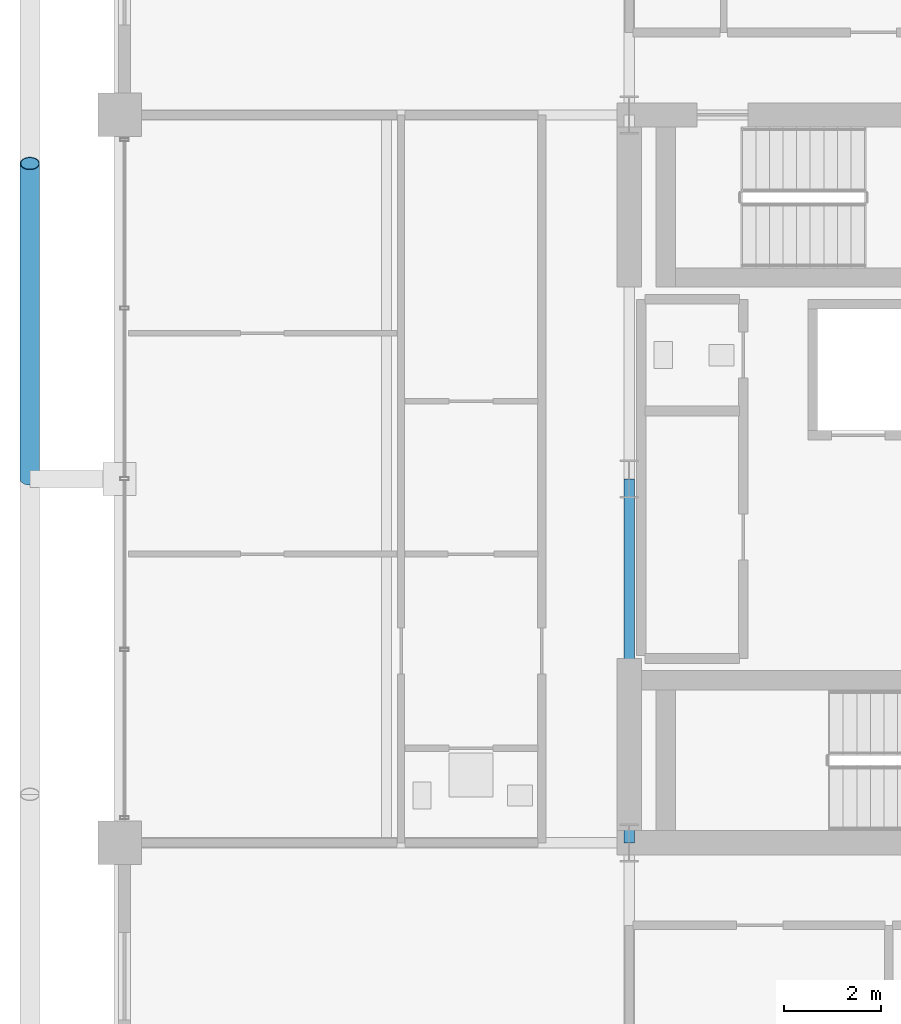
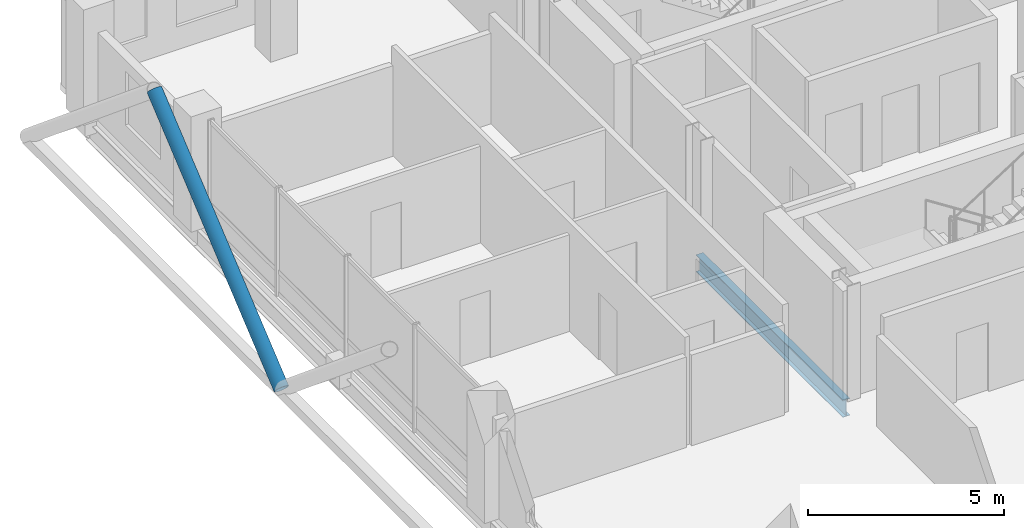
# One storey, part 9 of 24: 1 beam, 1 member.
"""IFC4 building model written with IfcOpenShell, lengths in metres."""

from ifc_helpers import new_model, si_unit, direction, frame, origin, origin_2d, place, context, subcontext, project, spatial, hollow_circle, i_section, extrude, material, material_profile, profile_set, type_object, element, save


model = new_model("IFC4")

# Units and contexts
model_context = context("Model", 3, precision=1e-05, world=origin(), true_north=direction((0.0, 1.0)))
body_context = subcontext(model_context, "Body", "Model", "MODEL_VIEW")
ifc_project = project(units=[si_unit("LENGTHUNIT", "METRE"), si_unit("AREAUNIT", "SQUARE_METRE"), si_unit("VOLUMEUNIT", "CUBIC_METRE"), si_unit("PLANEANGLEUNIT", "RADIAN"), si_unit("MASSUNIT", "GRAM", prefix="KILO")], contexts=[model_context])

# Site, building, storey
site_placement = place(None, origin())
site = spatial("IfcSite", under=ifc_project, at=site_placement, CompositionType="ELEMENT")
building_placement = place(site_placement, origin())
building = spatial("IfcBuilding", under=site, at=building_placement, Name="Barlavira Tower and Art Museum", CompositionType="ELEMENT")
storey_placement = place(building_placement, frame((0.0, 0.0, 251.10009765625)))
storey = spatial("IfcBuildingStorey", under=building, at=storey_placement, Name="L65", CompositionType="ELEMENT", Elevation=251.10009765625)

# Member
ifc_material = material(Name="Steel S355", Category="steel")
ifc_material_profile_1 = material_profile(ifc_material, hollow_circle(Radius=0.203125, WallThickness=0.01611328125, at=origin_2d()), Name="CHS 406.4x16.0")
ifc_profile_set_1 = profile_set([ifc_material_profile_1], Name="Steel S355")
member_type = type_object("IfcMemberType", Name="Pale-Metal Exoskeleton Diagrid Tube CHS 406x16 Steel S355", PredefinedType="BRACE", material=ifc_profile_set_1)
member_placement = place(storey_placement, frame((-18.85009765625, 0.0, -0.1201171875), z_axis=(0.0, 0.769196053329, 0.639012857104), x_axis=(-1.0, 0.0, 0.0)))
element("IfcMember", 1, at=member_placement, inside=storey, type_object=member_type, Name="L65 Exoskeleton Diagrid Tube W", PredefinedType="BRACE", context=body_context, shape_type="SweptSolid", body=[
    extrude(hollow_circle(Radius=0.203125, WallThickness=0.01611328125, at=origin_2d()), origin(), (0.0, 0.0, 1.0), 8.450439453125),
])

# Beam
ifc_material_profile_2 = material_profile(ifc_material, i_section(OverallWidth=0.2109375, OverallDepth=0.5390625, WebThickness=0.01171875, FlangeThickness=0.018798828125, at=origin_2d()), Name="W530x109.0")
ifc_profile_set_2 = profile_set([ifc_material_profile_2], Name="Steel S355")
beam_type = type_object("IfcBeamType", Name="Zone 3-4 Primary Floor Girder W530x109 Steel S355", PredefinedType="BEAM", material=ifc_profile_set_2)
beam_placement = place(storey_placement, frame((-6.5, -7.5, -0.489501953125), z_axis=(0.0, 1.0, 0.0), x_axis=(-1.0, 0.0, 0.0)))
element("IfcBeam", 2, at=beam_placement, inside=storey, type_object=beam_type, Name="L65 Girder C-W1", PredefinedType="BEAM", context=body_context, shape_type="SweptSolid", body=[
    extrude(i_section(OverallWidth=0.2109375, OverallDepth=0.5390625, WebThickness=0.01171875, FlangeThickness=0.018798828125, at=origin_2d()), origin(), (0.0, 0.0, 1.0), 7.5),
])

save(model, "model.ifc")
